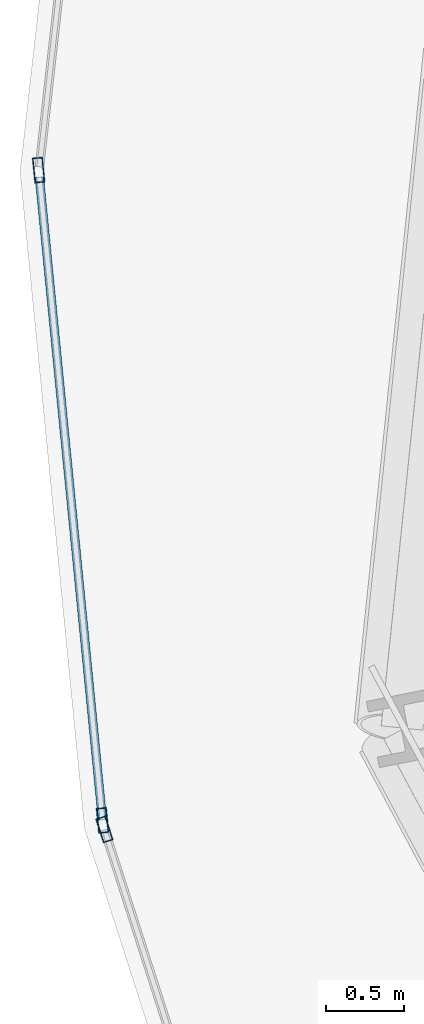
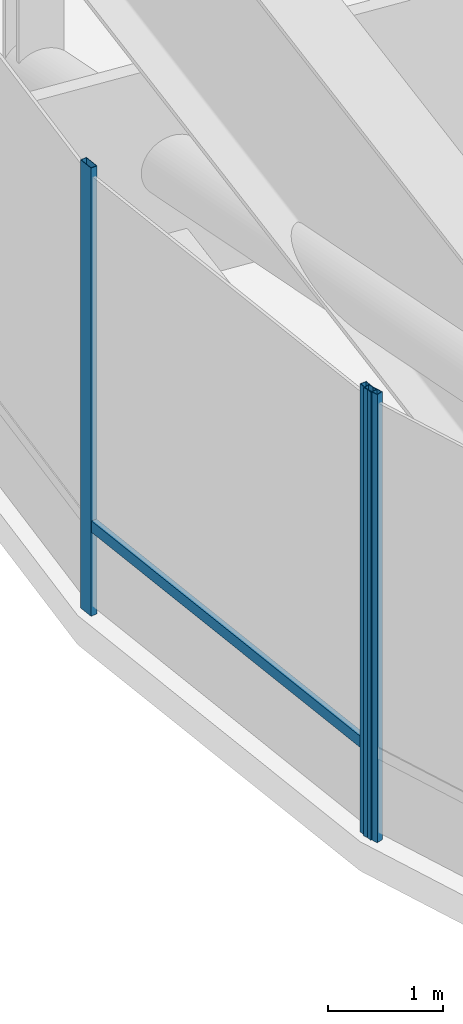
# One storey, part 7 of 33: 4 members, 2 elements without a shape of their own.
"""IFC4 building model written with IfcOpenShell, lengths in metres."""

from ifc_helpers import new_model, si_unit, direction, frame, origin, origin_2d, place, context, subcontext, project, spatial, hollow_rectangle, extrude, source, transform, mapped, material, layer, layer_set, material_profile, profile_set, type_object, element, aggregate, save


model = new_model("IFC4")

# Units and contexts
model_context = context("Model", 3, precision=1e-05, world=origin(), true_north=direction((0.0, 1.0)))
body_context = subcontext(model_context, "Body", "Model", "MODEL_VIEW")
ifc_project = project(units=[si_unit("LENGTHUNIT", "METRE"), si_unit("AREAUNIT", "SQUARE_METRE"), si_unit("VOLUMEUNIT", "CUBIC_METRE"), si_unit("PLANEANGLEUNIT", "RADIAN"), si_unit("MASSUNIT", "GRAM", prefix="KILO"), si_unit("THERMODYNAMICTEMPERATUREUNIT", "KELVIN")], contexts=[model_context])

# Site, building, storey
site_placement = place(None, origin())
site = spatial("IfcSite", under=ifc_project, at=site_placement, CompositionType="ELEMENT")
building_placement = place(site_placement, origin())
building = spatial("IfcBuilding", under=site, at=building_placement, Name="Kethvar Cultural Tower", CompositionType="ELEMENT")
storey_placement = place(building_placement, frame((0.0, 0.0, 80.39990234375)))
storey = spatial("IfcBuildingStorey", under=building, at=storey_placement, Name="L19", CompositionType="ELEMENT", Elevation=80.39990234375)

# Curtain wall, members
ifc_material = material(Name="Aluminium 6063-T6", Category="aluminium")
ifc_layer = layer(ifc_material, 0.179931640625, Name="Aluminium 6063-T6", Category="aluminium")
ifc_layer_set = layer_set([ifc_layer], Name="Aluminium 6063-T6 (180 mm)")
curtain_wall_type = type_object("IfcCurtainWallType", Name="CW-SYS-02-Z1", PredefinedType="NOTDEFINED", material=ifc_layer_set)
curtain_wall_1_placement = place(storey_placement, origin())
curtain_wall_1 = element("IfcCurtainWall", 1, at=curtain_wall_1_placement, inside=storey, type_object=curtain_wall_type, Name="L19 Curtain Wall Run 03", PredefinedType="NOTDEFINED")
ifc_material_profile_1 = material_profile(ifc_material, hollow_rectangle(XDim=0.06494140625, YDim=0.159912109375, WallThickness=0.0048828125, at=origin_2d()), Name="Aluminium 6063-T6 — RHS160x65x5")
ifc_profile_set_1 = profile_set([ifc_material_profile_1], Name="Aluminium 6063-T6 — RHS160x65x5")
member_type_1 = type_object("IfcMemberType", Name="CW-SYS-02-Z1-MUL", PredefinedType="MULLION", material=ifc_profile_set_1)
shared_shape_1 = source(origin(), body_context, "Body", "SweptSolid", [
    extrude(hollow_rectangle(XDim=0.06494140625, YDim=0.159912109375, WallThickness=0.0048828125, at=origin_2d()), origin(), (0.0, 0.0, 1.0), 4.760009765625),
])
member_1_placement = place(storey_placement, frame((17.625732421875, 26.032958984375, 0.0), z_axis=(0.0, 0.0, 1.0), x_axis=(0.995213765137, 0.097721858767, 0.0)))
member_1 = element("IfcMember", 2, at=member_1_placement, type_object=member_type_1, Name="CW-L19-R03 Mullion 6", PredefinedType="MULLION", context=body_context, shape_type="MappedRepresentation", body=[
    mapped(shared_shape_1, transform((0.0, 0.0, 0.0), scale=1.0)),
])
member_2_placement = place(storey_placement, frame((18.0341796875, 21.872802734375, 0.0), z_axis=(0.0, 0.0, 1.0), x_axis=(0.995213765137, 0.097721858767, 0.0)))
member_2 = element("IfcMember", 3, at=member_2_placement, type_object=member_type_1, Name="CW-L19-R03 Mullion 7", PredefinedType="MULLION", context=body_context, shape_type="MappedRepresentation", body=[
    mapped(shared_shape_1, transform((0.0, 0.0, 0.0), scale=1.0)),
])

# Curtain wall, member
curtain_wall_2_placement = place(storey_placement, origin())
curtain_wall_2 = element("IfcCurtainWall", 4, at=curtain_wall_2_placement, inside=storey, type_object=curtain_wall_type, Name="L19 Curtain Wall Run 04", PredefinedType="NOTDEFINED")
member_3_placement = place(storey_placement, frame((18.046142578125, 21.8154296875, 0.0), z_axis=(0.0, 0.0, 1.0), x_axis=(0.952172066578, 0.305562359641, 0.0)))
member_3 = element("IfcMember", 5, at=member_3_placement, type_object=member_type_1, Name="CW-L19-R04 Mullion 1", PredefinedType="MULLION", context=body_context, shape_type="MappedRepresentation", body=[
    mapped(shared_shape_1, transform((0.0, 0.0, 0.0), scale=1.0)),
])
aggregate(curtain_wall_2, [member_3])

# Member
ifc_material_profile_2 = material_profile(ifc_material, hollow_rectangle(XDim=0.054931640625, YDim=0.1201171875, WallThickness=0.00390625, at=origin_2d()), Name="Aluminium 6063-T6 — RHS120x55x4")
ifc_profile_set_2 = profile_set([ifc_material_profile_2], Name="Aluminium 6063-T6 — RHS120x55x4")
member_type_2 = type_object("IfcMemberType", Name="CW-SYS-02-Z1-TRN", PredefinedType="USERDEFINED", material=ifc_profile_set_2)
shared_shape_2 = source(origin(), body_context, "Body", "SweptSolid", [
    extrude(hollow_rectangle(XDim=0.054931640625, YDim=0.1201171875, WallThickness=0.00390625, at=origin_2d()), origin(), (0.0, 0.0, 1.0), 4.12890625),
])
member_4_placement = place(storey_placement, frame((17.63037109375, 25.986328125, 0.9501953125), z_axis=(0.097682815757, -0.995217598069, 0.0), x_axis=(0.995217598069, 0.097682815757, 0.0)))
member_4 = element("IfcMember", 6, at=member_4_placement, type_object=member_type_2, Name="CW-L19-R03 Transom 6", ObjectType="TRANSOM", PredefinedType="USERDEFINED", context=body_context, shape_type="MappedRepresentation", body=[
    mapped(shared_shape_2, transform((0.0, 0.0, 0.0), scale=1.0)),
])

aggregate(curtain_wall_1, [member_1, member_2, member_4])

save(model, "model.ifc")
